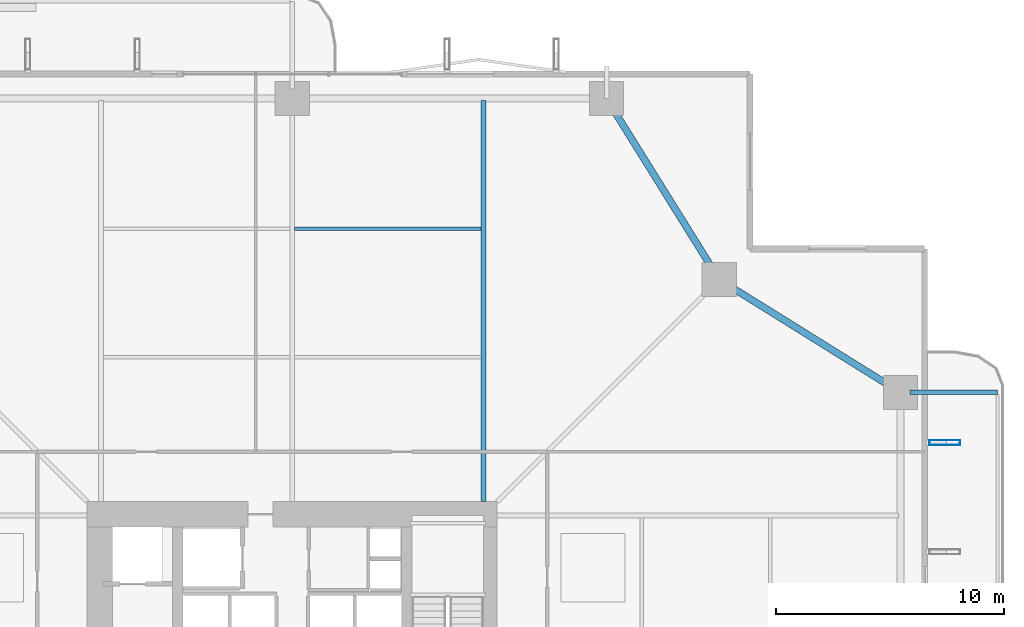
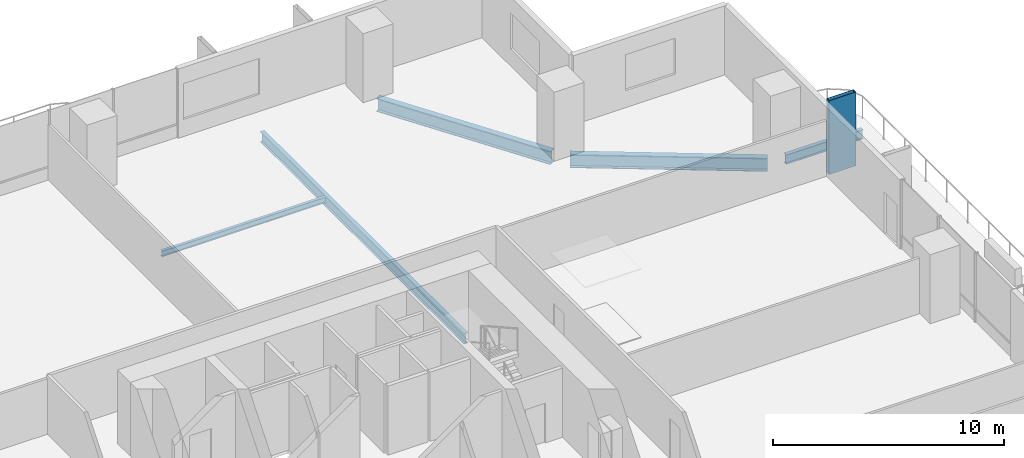
# One storey, part 14 of 23: 5 beams, 1 member.
"""IFC4 building model written with IfcOpenShell, lengths in metres."""

import ifcopenshell
import ifcopenshell.guid

model = None  # the IFC model being written
_history = None  # IfcOwnerHistory: only IFC2X3 demands one
_inside = {}  # id of a spatial element -> (the spatial element, [elements in it])
_under = {}  # id of a project, library or spatial element -> (it, [spatial elements below it])
_declared = {}  # id of a project -> (the project, [libraries it declares])
_typed = {}  # id of a type object -> (the type object, [elements of that type])
_made_of = {}  # id of a material, layer set ... -> (it, [elements and type objects made of it])


def new_model(schema):
    """Start an empty IFC model of exactly this schema.

    Asked for "IFC4X3", IfcOpenShell would pick the latest addendum, in which some entities
    have other attributes; the version numbers below select the first issue.
    IFC2X3 requires an IfcOwnerHistory on every rooted entity: one is made here for all.
    """
    global model, _history
    if schema == "IFC4X3":
        model = ifcopenshell.file(schema_version=(4, 3, 0, 0))
    else:
        model = ifcopenshell.file(schema=schema)
    _inside.clear()
    _under.clear()
    _declared.clear()
    _typed.clear()
    _made_of.clear()
    _history = None
    if model.schema == "IFC2X3":
        org = make("IfcOrganization", Name="unknown")
        user = make(
            "IfcPersonAndOrganization",
            ThePerson=make("IfcPerson", FamilyName="unknown"),
            TheOrganization=org,
        )
        app = make(
            "IfcApplication",
            ApplicationDeveloper=org,
            Version="unknown",
            ApplicationFullName="unknown",
            ApplicationIdentifier="unknown",
        )
        _history = make(
            "IfcOwnerHistory",
            OwningUser=user,
            OwningApplication=app,
            ChangeAction="ADDED",
            CreationDate=0,
        )
    return model


def make(cls, **values):
    """One entity of the class cls with the attributes given. An attribute that is None is left unset."""
    return model.create_entity(
        cls, **{name: value for name, value in values.items() if value is not None}
    )


def rooted(cls, **values):
    """An entity with a GlobalId (a new one), such as an element, a storey or a relation."""
    return make(cls, GlobalId=ifcopenshell.guid.new(), OwnerHistory=_history, **values)


def si_unit(unit_type, name, prefix=None):
    """IfcSIUnit, for example si_unit("LENGTHUNIT", "METRE", prefix="MILLI")."""
    return make("IfcSIUnit", UnitType=unit_type, Prefix=prefix, Name=name)


def assignment(units):
    """IfcUnitAssignment: the units of a project."""
    return None if units is None else make("IfcUnitAssignment", Units=units)


def point(xyz):
    """IfcCartesianPoint."""
    return None if xyz is None else make("IfcCartesianPoint", Coordinates=xyz)


def direction(xyz):
    """IfcDirection."""
    return None if xyz is None else make("IfcDirection", DirectionRatios=xyz)


def frame(location, z_axis=None, x_axis=None):
    """IfcAxis2Placement3D, a coordinate frame: its origin and axes. An axis left out is left unset."""
    return make(
        "IfcAxis2Placement3D",
        Location=point(location),
        Axis=direction(z_axis),
        RefDirection=direction(x_axis),
    )


def frame_2d(location, x_axis=None):
    """IfcAxis2Placement2D, a coordinate frame in the plane: its origin and x axis."""
    return make(
        "IfcAxis2Placement2D", Location=point(location), RefDirection=direction(x_axis)
    )


def origin():
    """The frame at (0, 0, 0) with its axes left unset."""
    return frame((0.0, 0.0, 0.0))


def origin_2d():
    """The frame at (0, 0) in the plane with its x axis left unset."""
    return frame_2d((0.0, 0.0))


def place(relative_to, where):
    """IfcLocalPlacement: puts the frame where relative to a parent placement (None: the world)."""
    return make(
        "IfcLocalPlacement", PlacementRelTo=relative_to, RelativePlacement=where
    )


def context(
    kind, dimensions, precision=None, world=None, true_north=None, identifier=None
):
    """IfcGeometricRepresentationContext, for example the 3D "Model" context."""
    return make(
        "IfcGeometricRepresentationContext",
        ContextIdentifier=identifier,
        ContextType=kind,
        CoordinateSpaceDimension=dimensions,
        Precision=precision,
        WorldCoordinateSystem=world,
        TrueNorth=true_north,
    )


def subcontext(parent, identifier, kind, view, scale=None):
    """IfcGeometricRepresentationSubContext, for example "Body" below "Model"."""
    return make(
        "IfcGeometricRepresentationSubContext",
        ContextIdentifier=identifier,
        ContextType=kind,
        ParentContext=parent,
        TargetScale=scale,
        TargetView=view,
    )


def project(units=None, contexts=None):
    """IfcProject with its units and contexts."""
    return rooted(
        "IfcProject",
        Name="project",
        RepresentationContexts=contexts,
        UnitsInContext=assignment(units),
    )


def spatial(cls, under=None, at=None, **own):
    """A site, building, storey or space (cls), placed at a placement, below another one or the project."""
    s = rooted(cls, ObjectPlacement=at, **own)
    if under is not None:
        _under.setdefault(under.id(), (under, []))[1].append(s)
    return s


def profile(cls, at=None, kind="AREA", **sizes):
    """A parametric profile (cls). Its sizes go by their IFC names, for example OverallWidth=200.0."""
    return make(cls, ProfileType=kind, Position=at, **sizes)


def hollow_rectangle(**sizes):
    """IfcRectangleHollowProfileDef."""
    return profile("IfcRectangleHollowProfileDef", **sizes)


def i_section(**sizes):
    """IfcIShapeProfileDef."""
    return profile("IfcIShapeProfileDef", **sizes)


def extrude(swept, where, along, depth):
    """IfcExtrudedAreaSolid: the profile swept, set in the frame where, extruded along a direction by depth."""
    return make(
        "IfcExtrudedAreaSolid",
        SweptArea=swept,
        Position=where,
        ExtrudedDirection=direction(along),
        Depth=depth,
    )


def shape(context_of_items, identifier, shape_type, items):
    """IfcShapeRepresentation: the items that make up one representation, for example the "Body"."""
    return make(
        "IfcShapeRepresentation",
        ContextOfItems=context_of_items,
        RepresentationIdentifier=identifier,
        RepresentationType=shape_type,
        Items=items,
    )


def material(Name=None, Category=None):
    """IfcMaterial."""
    return make("IfcMaterial", Name=Name, Category=Category)


def material_profile(
    of_material, cross_section, Name=None, Category=None, Priority=None
):
    """IfcMaterialProfile: a cross section and its material."""
    return make(
        "IfcMaterialProfile",
        Name=Name,
        Material=of_material,
        Profile=cross_section,
        Priority=Priority,
        Category=Category,
    )


def profile_set(profiles, Name=None, composite=None):
    """IfcMaterialProfileSet."""
    return make(
        "IfcMaterialProfileSet",
        Name=Name,
        MaterialProfiles=profiles,
        CompositeProfile=composite,
    )


def made_of(thing, what):
    """Note that an element or type object is made of a material, layer set ...; save() writes the relation."""
    if what is not None:
        _made_of.setdefault(what.id(), (what, []))[1].append(thing)
    return thing


def type_object(cls, material=None, **own):
    """A type object (cls), such as IfcWallType, which elements share."""
    return made_of(rooted(cls, **own), material)


def element(
    cls,
    number,
    at=None,
    inside=None,
    cuts=None,
    type_object=None,
    material=None,
    context=None,
    identifier="Body",
    shape_type=None,
    held_by="IfcProductDefinitionShape",
    body=None,
    shapes=None,
    **own,
):
    """One element of the class cls, such as IfcWall. Its Tag is "e" and its number.

    at: its placement. inside: the storey or other place that contains it. cuts: it is an
    opening in that element (IfcRelVoidsElement). A single representation is given by context,
    identifier, shape_type and body (its items); several are given by shapes. held_by: the class
    of the entity that holds the representations. save() writes the other relations.
    """
    e = rooted(cls, Tag="e%d" % number, ObjectPlacement=at, **own)
    if body is not None:
        shapes = [shape(context, identifier, shape_type, body)]
    if shapes is not None:
        e.Representation = make(held_by, Representations=shapes)
    if inside is not None:
        _inside.setdefault(inside.id(), (inside, []))[1].append(e)
    if cuts is not None:
        rooted(
            "IfcRelVoidsElement", RelatingBuildingElement=cuts, RelatedOpeningElement=e
        )
    if type_object is not None:
        _typed.setdefault(type_object.id(), (type_object, []))[1].append(e)
    return made_of(e, material)


def aggregate(whole, parts):
    """IfcRelAggregates: a whole, such as a stair, and the parts it consists of."""
    return rooted("IfcRelAggregates", RelatingObject=whole, RelatedObjects=parts)


def save(model, path):
    """Write the relations noted so far, then the file.

    IfcRelAggregates (storeys below a building ...), IfcRelContainedInSpatialStructure (elements
    in a storey), IfcRelDefinesByType, IfcRelAssociatesMaterial and IfcRelDeclares: one each for
    every whole, place, type object, material and project.
    """
    for whole, parts in _under.values():
        aggregate(whole, parts)
    for where, things in _inside.values():
        rooted(
            "IfcRelContainedInSpatialStructure",
            RelatedElements=things,
            RelatingStructure=where,
        )
    for kind, things in _typed.values():
        rooted("IfcRelDefinesByType", RelatedObjects=things, RelatingType=kind)
    for what, things in _made_of.values():
        rooted("IfcRelAssociatesMaterial", RelatedObjects=things, RelatingMaterial=what)
    for by, libraries in _declared.values():
        rooted("IfcRelDeclares", RelatingContext=by, RelatedDefinitions=libraries)
    model.write(path)


model = new_model("IFC4")

# Units and contexts
model_context = context("Model", 3, precision=1e-05, world=origin(), true_north=direction((0.0, 1.0)))
body_context = subcontext(model_context, "Body", "Model", "MODEL_VIEW")
ifc_project = project(units=[si_unit("LENGTHUNIT", "METRE"), si_unit("AREAUNIT", "SQUARE_METRE"), si_unit("VOLUMEUNIT", "CUBIC_METRE"), si_unit("PLANEANGLEUNIT", "RADIAN"), si_unit("MASSUNIT", "GRAM", prefix="KILO")], contexts=[model_context])

# Site, building, storey
site_placement = place(None, origin())
site = spatial("IfcSite", under=ifc_project, at=site_placement, CompositionType="ELEMENT")
building_placement = place(site_placement, origin())
building = spatial("IfcBuilding", under=site, at=building_placement, Name="Belovzor Exchange Tower", CompositionType="ELEMENT")
storey_placement = place(building_placement, frame((0.0, 0.0, 84.60009765625)))
storey = spatial("IfcBuildingStorey", under=building, at=storey_placement, Name="L20", CompositionType="ELEMENT", Elevation=84.60009765625)

# Member
ifc_material_1 = material(Name="Extruded Architectural Terracotta on Steel S355 Carrier", Category="masonry")
ifc_material_profile_1 = material_profile(ifc_material_1, hollow_rectangle(XDim=0.219970703125, YDim=1.35009765625, WallThickness=0.013916015625, at=origin_2d()))
ifc_profile_set_1 = profile_set([ifc_material_profile_1], Name="Extruded Architectural Terracotta on Steel S355 Carrier")
member_type = type_object("IfcMemberType", Name="Base Arc Sweeping Terracotta Pylon Fin 1450", PredefinedType="USERDEFINED", material=ifc_profile_set_1)
member_placement = place(storey_placement, frame((57.449951171875, 40.39990234375, -0.25), z_axis=(0.0, 0.0, 1.0), x_axis=(0.0, 1.0, 0.0)))
element("IfcMember", 1, at=member_placement, inside=storey, type_object=member_type, Name="FIN-TC145 Terracotta Facade Fin L20 E4", ObjectType="FIN", PredefinedType="USERDEFINED", context=body_context, shape_type="SweptSolid", body=[
    extrude(hollow_rectangle(XDim=0.219970703125, YDim=1.35009765625, WallThickness=0.013916015625, at=origin_2d()), origin(), (0.0, 0.0, 1.0), 3.89990234375),
])

# Beams
ifc_material_2 = material(Name="Steel S355", Category="steel")
ifc_material_profile_2 = material_profile(ifc_material_2, i_section(OverallWidth=0.199951171875, OverallDepth=0.5, WebThickness=0.01025390625, FlangeThickness=0.01611328125, at=origin_2d()))
ifc_profile_set_2 = profile_set([ifc_material_profile_2], Name="Steel S355")
beam_type_1 = type_object("IfcBeamType", Name="Planted Balcony Cantilever Beam IPE 500", PredefinedType="BEAM", material=ifc_profile_set_2)
beam_1_placement = place(storey_placement, frame((55.9130859375, 42.60009765625, -0.5), z_axis=(1.0, 0.0, 0.0), x_axis=(0.0, 1.0, 0.0)))
element("IfcBeam", 2, at=beam_1_placement, inside=storey, type_object=beam_type_1, Name="BC-500 Planted Balcony Cantilever Beam IPE 500", PredefinedType="BEAM", context=body_context, shape_type="SweptSolid", body=[
    extrude(i_section(OverallWidth=0.199951171875, OverallDepth=0.5, WebThickness=0.01025390625, FlangeThickness=0.01611328125, at=origin_2d()), origin(), (0.0, 0.0, 1.0), 3.849853515625),
])
ifc_material_3 = material(Name="Steel S355", Category="steel")
ifc_material_profile_3 = material_profile(ifc_material_3, i_section(OverallWidth=0.14990234375, OverallDepth=0.300048828125, WebThickness=0.007080078125, FlangeThickness=0.0107421875, at=origin_2d()))
ifc_profile_set_3 = profile_set([ifc_material_profile_3], Name="Steel S355")
beam_type_2 = type_object("IfcBeamType", Name="Secondary Trim Floor Joist IPE 300", PredefinedType="BEAM", material=ifc_profile_set_3)
beam_2_placement = place(storey_placement, frame((28.905029296875, 49.784912109375, -0.400146484375), z_axis=(1.0, 0.0, 0.0), x_axis=(0.0, 1.0, 0.0)))
element("IfcBeam", 3, at=beam_2_placement, inside=storey, type_object=beam_type_2, Name="FJ-300 Secondary Trim Floor Joist IPE 300", PredefinedType="BEAM", context=body_context, shape_type="SweptSolid", body=[
    extrude(i_section(OverallWidth=0.14990234375, OverallDepth=0.300048828125, WebThickness=0.007080078125, FlangeThickness=0.0107421875, at=origin_2d()), origin(), (0.0, 0.0, 1.0), 8.18994140625),
])
ifc_material_4 = material(Name="Steel S355", Category="steel")
ifc_material_profile_4 = material_profile(ifc_material_4, i_section(OverallWidth=0.300048828125, OverallDepth=0.699951171875, WebThickness=0.01708984375, FlangeThickness=0.031982421875, at=origin_2d()))
ifc_profile_set_4 = profile_set([ifc_material_profile_4], Name="Steel S355")
beam_type_3 = type_object("IfcBeamType", Name="Zone 1 Primary Perimeter Girder HEB 700", PredefinedType="BEAM", material=ifc_profile_set_4)
for number, where, z_axis, x_axis, name in (
    (4, (55.14990234375, 42.818115234375, -0.60009765625), (-0.848909251292, 0.528538629686, 0.0), (-0.528538629686, -0.848909251292, 0.0), "FG-Z1 Zone 1 Primary Perimeter Girder HEB 700"),
    (5, (47.33203125, 47.89990234375, -0.60009765625), (-0.528538629686, 0.848909251292, 0.0), (-0.848909251292, -0.528538629686, 0.0), "FG-Z1 Zone 1 Primary Perimeter Girder HEB 700"),
):
    element("IfcBeam", number, at=place(storey_placement, frame(where, z_axis=z_axis, x_axis=x_axis)), inside=storey, type_object=beam_type_3, Name=name, PredefinedType="BEAM", context=body_context, shape_type="SweptSolid", body=[
        extrude(i_section(OverallWidth=0.300048828125, OverallDepth=0.699951171875, WebThickness=0.01708984375, FlangeThickness=0.031982421875, at=origin_2d()), origin(), (0.0, 0.0, 1.0), 8.540283203125),
    ])
ifc_material_5 = material(Name="Steel S355", Category="steel")
ifc_material_profile_5 = material_profile(ifc_material_5, i_section(OverallWidth=0.2099609375, OverallDepth=0.550048828125, WebThickness=0.010986328125, FlangeThickness=0.01708984375, at=origin_2d()))
ifc_profile_set_5 = profile_set([ifc_material_profile_5], Name="Steel S355")
beam_type_4 = type_object("IfcBeamType", Name="Zone 1 Radial Composite Floor Beam IPE 550", PredefinedType="BEAM", material=ifc_profile_set_5)
beam_3_placement = place(storey_placement, frame((37.199951171875, 37.800048828125, -0.525146484375), z_axis=(0.0, 1.0, 0.0), x_axis=(-1.0, 0.0, 0.0)))
element("IfcBeam", 6, at=beam_3_placement, inside=storey, type_object=beam_type_4, Name="FB-550 Zone 1 Radial Composite Floor Beam IPE 550", PredefinedType="BEAM", context=body_context, shape_type="SweptSolid", body=[
    extrude(i_section(OverallWidth=0.2099609375, OverallDepth=0.550048828125, WebThickness=0.010986328125, FlangeThickness=0.01708984375, at=origin_2d()), origin(), (0.0, 0.0, 1.0), 17.625),
])

save(model, "model.ifc")
